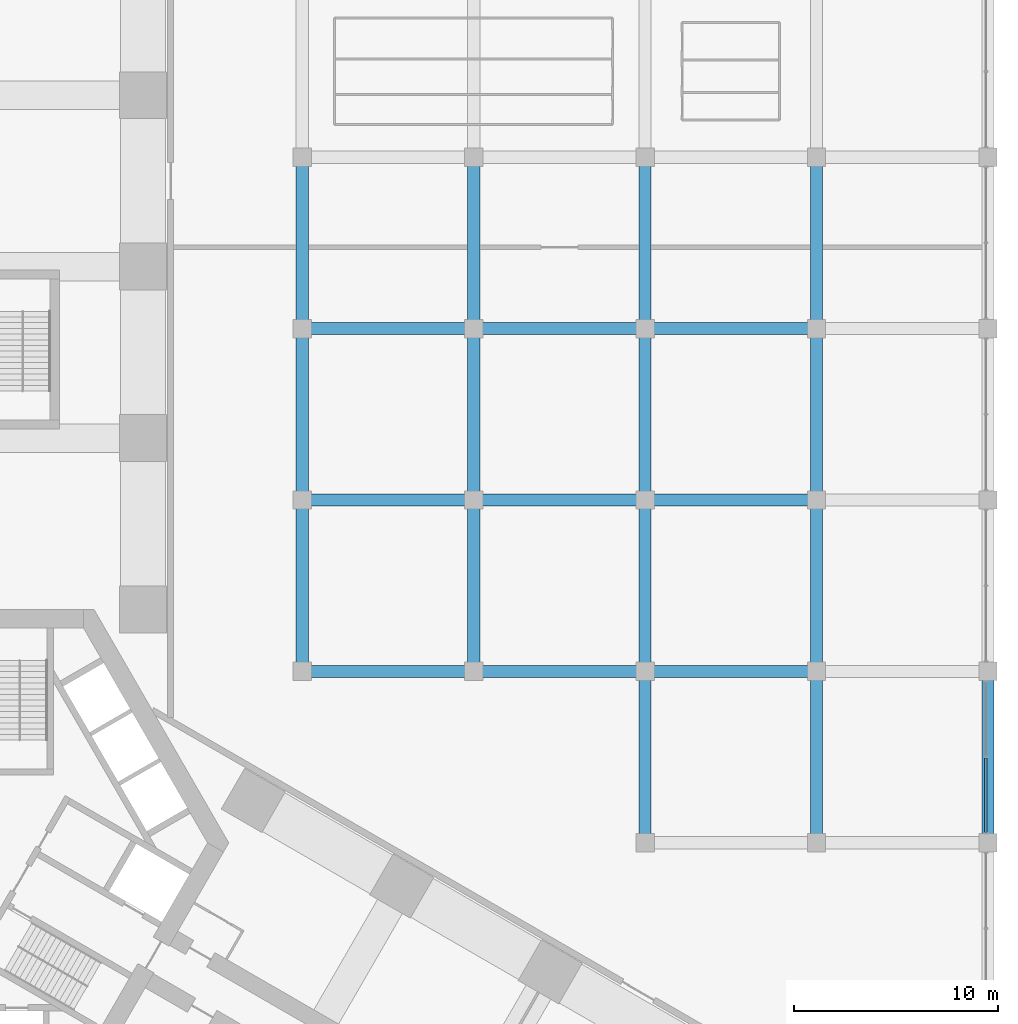
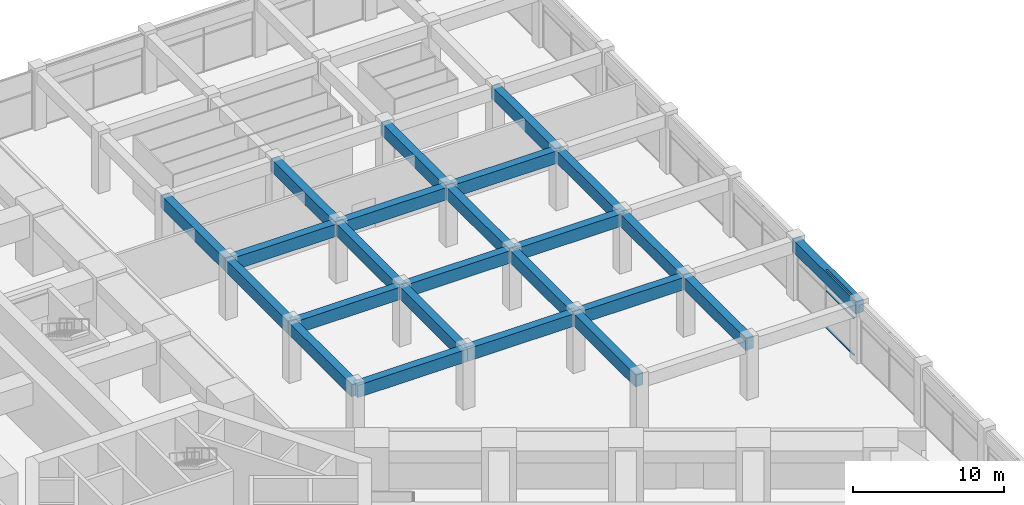
# One storey, part 14 of 34: 24 beams, 3 members, 1 element without a shape of its own.
"""IFC4 building model written with IfcOpenShell, lengths in metres."""

import ifcopenshell
import ifcopenshell.guid

model = None  # the IFC model being written
_history = None  # IfcOwnerHistory: only IFC2X3 demands one
_inside = {}  # id of a spatial element -> (the spatial element, [elements in it])
_under = {}  # id of a project, library or spatial element -> (it, [spatial elements below it])
_declared = {}  # id of a project -> (the project, [libraries it declares])
_typed = {}  # id of a type object -> (the type object, [elements of that type])
_made_of = {}  # id of a material, layer set ... -> (it, [elements and type objects made of it])


def new_model(schema):
    """Start an empty IFC model of exactly this schema.

    Asked for "IFC4X3", IfcOpenShell would pick the latest addendum, in which some entities
    have other attributes; the version numbers below select the first issue.
    IFC2X3 requires an IfcOwnerHistory on every rooted entity: one is made here for all.
    """
    global model, _history
    if schema == "IFC4X3":
        model = ifcopenshell.file(schema_version=(4, 3, 0, 0))
    else:
        model = ifcopenshell.file(schema=schema)
    _inside.clear()
    _under.clear()
    _declared.clear()
    _typed.clear()
    _made_of.clear()
    _history = None
    if model.schema == "IFC2X3":
        org = make("IfcOrganization", Name="unknown")
        user = make(
            "IfcPersonAndOrganization",
            ThePerson=make("IfcPerson", FamilyName="unknown"),
            TheOrganization=org,
        )
        app = make(
            "IfcApplication",
            ApplicationDeveloper=org,
            Version="unknown",
            ApplicationFullName="unknown",
            ApplicationIdentifier="unknown",
        )
        _history = make(
            "IfcOwnerHistory",
            OwningUser=user,
            OwningApplication=app,
            ChangeAction="ADDED",
            CreationDate=0,
        )
    return model


def make(cls, **values):
    """One entity of the class cls with the attributes given. An attribute that is None is left unset."""
    return model.create_entity(
        cls, **{name: value for name, value in values.items() if value is not None}
    )


def rooted(cls, **values):
    """An entity with a GlobalId (a new one), such as an element, a storey or a relation."""
    return make(cls, GlobalId=ifcopenshell.guid.new(), OwnerHistory=_history, **values)


def si_unit(unit_type, name, prefix=None):
    """IfcSIUnit, for example si_unit("LENGTHUNIT", "METRE", prefix="MILLI")."""
    return make("IfcSIUnit", UnitType=unit_type, Prefix=prefix, Name=name)


def assignment(units):
    """IfcUnitAssignment: the units of a project."""
    return None if units is None else make("IfcUnitAssignment", Units=units)


def point(xyz):
    """IfcCartesianPoint."""
    return None if xyz is None else make("IfcCartesianPoint", Coordinates=xyz)


def direction(xyz):
    """IfcDirection."""
    return None if xyz is None else make("IfcDirection", DirectionRatios=xyz)


def frame(location, z_axis=None, x_axis=None):
    """IfcAxis2Placement3D, a coordinate frame: its origin and axes. An axis left out is left unset."""
    return make(
        "IfcAxis2Placement3D",
        Location=point(location),
        Axis=direction(z_axis),
        RefDirection=direction(x_axis),
    )


def frame_2d(location, x_axis=None):
    """IfcAxis2Placement2D, a coordinate frame in the plane: its origin and x axis."""
    return make(
        "IfcAxis2Placement2D", Location=point(location), RefDirection=direction(x_axis)
    )


def origin():
    """The frame at (0, 0, 0) with its axes left unset."""
    return frame((0.0, 0.0, 0.0))


def origin_2d():
    """The frame at (0, 0) in the plane with its x axis left unset."""
    return frame_2d((0.0, 0.0))


def place(relative_to, where):
    """IfcLocalPlacement: puts the frame where relative to a parent placement (None: the world)."""
    return make(
        "IfcLocalPlacement", PlacementRelTo=relative_to, RelativePlacement=where
    )


def context(
    kind, dimensions, precision=None, world=None, true_north=None, identifier=None
):
    """IfcGeometricRepresentationContext, for example the 3D "Model" context."""
    return make(
        "IfcGeometricRepresentationContext",
        ContextIdentifier=identifier,
        ContextType=kind,
        CoordinateSpaceDimension=dimensions,
        Precision=precision,
        WorldCoordinateSystem=world,
        TrueNorth=true_north,
    )


def subcontext(parent, identifier, kind, view, scale=None):
    """IfcGeometricRepresentationSubContext, for example "Body" below "Model"."""
    return make(
        "IfcGeometricRepresentationSubContext",
        ContextIdentifier=identifier,
        ContextType=kind,
        ParentContext=parent,
        TargetScale=scale,
        TargetView=view,
    )


def project(units=None, contexts=None):
    """IfcProject with its units and contexts."""
    return rooted(
        "IfcProject",
        Name="project",
        RepresentationContexts=contexts,
        UnitsInContext=assignment(units),
    )


def spatial(cls, under=None, at=None, **own):
    """A site, building, storey or space (cls), placed at a placement, below another one or the project."""
    s = rooted(cls, ObjectPlacement=at, **own)
    if under is not None:
        _under.setdefault(under.id(), (under, []))[1].append(s)
    return s


def profile(cls, at=None, kind="AREA", **sizes):
    """A parametric profile (cls). Its sizes go by their IFC names, for example OverallWidth=200.0."""
    return make(cls, ProfileType=kind, Position=at, **sizes)


def rectangle(**sizes):
    """IfcRectangleProfileDef."""
    return profile("IfcRectangleProfileDef", **sizes)


def extrude(swept, where, along, depth):
    """IfcExtrudedAreaSolid: the profile swept, set in the frame where, extruded along a direction by depth."""
    return make(
        "IfcExtrudedAreaSolid",
        SweptArea=swept,
        Position=where,
        ExtrudedDirection=direction(along),
        Depth=depth,
    )


def shape(context_of_items, identifier, shape_type, items):
    """IfcShapeRepresentation: the items that make up one representation, for example the "Body"."""
    return make(
        "IfcShapeRepresentation",
        ContextOfItems=context_of_items,
        RepresentationIdentifier=identifier,
        RepresentationType=shape_type,
        Items=items,
    )


def material(Name=None, Category=None):
    """IfcMaterial."""
    return make("IfcMaterial", Name=Name, Category=Category)


def material_profile(
    of_material, cross_section, Name=None, Category=None, Priority=None
):
    """IfcMaterialProfile: a cross section and its material."""
    return make(
        "IfcMaterialProfile",
        Name=Name,
        Material=of_material,
        Profile=cross_section,
        Priority=Priority,
        Category=Category,
    )


def profile_set(profiles, Name=None, composite=None):
    """IfcMaterialProfileSet."""
    return make(
        "IfcMaterialProfileSet",
        Name=Name,
        MaterialProfiles=profiles,
        CompositeProfile=composite,
    )


def made_of(thing, what):
    """Note that an element or type object is made of a material, layer set ...; save() writes the relation."""
    if what is not None:
        _made_of.setdefault(what.id(), (what, []))[1].append(thing)
    return thing


def type_object(cls, material=None, **own):
    """A type object (cls), such as IfcWallType, which elements share."""
    return made_of(rooted(cls, **own), material)


def element(
    cls,
    number,
    at=None,
    inside=None,
    cuts=None,
    type_object=None,
    material=None,
    context=None,
    identifier="Body",
    shape_type=None,
    held_by="IfcProductDefinitionShape",
    body=None,
    shapes=None,
    **own,
):
    """One element of the class cls, such as IfcWall. Its Tag is "e" and its number.

    at: its placement. inside: the storey or other place that contains it. cuts: it is an
    opening in that element (IfcRelVoidsElement). A single representation is given by context,
    identifier, shape_type and body (its items); several are given by shapes. held_by: the class
    of the entity that holds the representations. save() writes the other relations.
    """
    e = rooted(cls, Tag="e%d" % number, ObjectPlacement=at, **own)
    if body is not None:
        shapes = [shape(context, identifier, shape_type, body)]
    if shapes is not None:
        e.Representation = make(held_by, Representations=shapes)
    if inside is not None:
        _inside.setdefault(inside.id(), (inside, []))[1].append(e)
    if cuts is not None:
        rooted(
            "IfcRelVoidsElement", RelatingBuildingElement=cuts, RelatedOpeningElement=e
        )
    if type_object is not None:
        _typed.setdefault(type_object.id(), (type_object, []))[1].append(e)
    return made_of(e, material)


def aggregate(whole, parts):
    """IfcRelAggregates: a whole, such as a stair, and the parts it consists of."""
    return rooted("IfcRelAggregates", RelatingObject=whole, RelatedObjects=parts)


def save(model, path):
    """Write the relations noted so far, then the file.

    IfcRelAggregates (storeys below a building ...), IfcRelContainedInSpatialStructure (elements
    in a storey), IfcRelDefinesByType, IfcRelAssociatesMaterial and IfcRelDeclares: one each for
    every whole, place, type object, material and project.
    """
    for whole, parts in _under.values():
        aggregate(whole, parts)
    for where, things in _inside.values():
        rooted(
            "IfcRelContainedInSpatialStructure",
            RelatedElements=things,
            RelatingStructure=where,
        )
    for kind, things in _typed.values():
        rooted("IfcRelDefinesByType", RelatedObjects=things, RelatingType=kind)
    for what, things in _made_of.values():
        rooted("IfcRelAssociatesMaterial", RelatedObjects=things, RelatingMaterial=what)
    for by, libraries in _declared.values():
        rooted("IfcRelDeclares", RelatingContext=by, RelatedDefinitions=libraries)
    model.write(path)


model = new_model("IFC4")

# Units and contexts
model_context = context("Model", 3, precision=1e-05, world=origin(), true_north=direction((0.0, 1.0)))
body_context = subcontext(model_context, "Body", "Model", "MODEL_VIEW")
ifc_project = project(units=[si_unit("LENGTHUNIT", "METRE"), si_unit("AREAUNIT", "SQUARE_METRE"), si_unit("VOLUMEUNIT", "CUBIC_METRE"), si_unit("PLANEANGLEUNIT", "RADIAN"), si_unit("MASSUNIT", "GRAM", prefix="KILO")], contexts=[model_context])

# Site, building, storey
site_placement = place(None, origin())
site = spatial("IfcSite", under=ifc_project, at=site_placement, CompositionType="ELEMENT")
building_placement = place(site_placement, origin())
building = spatial("IfcBuilding", under=site, at=building_placement, Name="Impinga Residences", CompositionType="ELEMENT")
storey_placement = place(building_placement, frame((0.0, 0.0, 11.0)))
storey = spatial("IfcBuildingStorey", under=building, at=storey_placement, Name="L02", CompositionType="ELEMENT", Elevation=11.0)

# Curtain wall, members
ifc_material_1 = material(Name="Aluminium stick curtain wall", Category="aluminium")
curtain_wall_type = type_object("IfcCurtainWallType", Name="CW1 podium amenity curtain wall", PredefinedType="USERDEFINED", material=ifc_material_1)
curtain_wall_placement = place(storey_placement, origin())
curtain_wall = element("IfcCurtainWall", 1, at=curtain_wall_placement, inside=storey, type_object=curtain_wall_type, Name="Curtain wall CW1 L02", ObjectType="STICK CURTAIN WALL", PredefinedType="USERDEFINED")
ifc_material_2 = material(Name="Aluminium transom", Category="aluminium")
ifc_material_profile_1 = material_profile(ifc_material_2, rectangle(XDim=0.06005859375, YDim=0.1201171875, at=origin_2d()), Name="60x120 transom")
ifc_profile_set_1 = profile_set([ifc_material_profile_1], Name="Aluminium transom")
member_type = type_object("IfcMemberType", Name="CW1-T transom 60x120", PredefinedType="USERDEFINED", material=ifc_profile_set_1)
member_1_placement = place(storey_placement, frame((50.300048828125, 4.169921875, 0.030029296875), z_axis=(0.0, -1.0, 0.0), x_axis=(0.0, 0.0, 1.0)))
member_1 = element("IfcMember", 2, at=member_1_placement, type_object=member_type, Name="CW1 transom 2.1", ObjectType="TRANSOM", PredefinedType="USERDEFINED", context=body_context, shape_type="SweptSolid", body=[
    extrude(rectangle(XDim=0.06005859375, YDim=0.1201171875, at=origin_2d()), origin(), (0.0, 0.0, 1.0), 3.656982421875),
])
member_2_placement = place(storey_placement, frame((50.300048828125, 4.169921875, 3.0), z_axis=(0.0, -1.0, 0.0), x_axis=(0.0, 0.0, 1.0)))
member_2 = element("IfcMember", 3, at=member_2_placement, type_object=member_type, Name="CW1 transom 2.2", ObjectType="TRANSOM", PredefinedType="USERDEFINED", context=body_context, shape_type="SweptSolid", body=[
    extrude(rectangle(XDim=0.06005859375, YDim=0.1201171875, at=origin_2d()), origin(), (0.0, 0.0, 1.0), 3.656982421875),
])
member_3_placement = place(storey_placement, frame((50.300048828125, 4.169921875, 4.669921875), z_axis=(0.0, -1.0, 0.0), x_axis=(0.0, 0.0, 1.0)))
member_3 = element("IfcMember", 4, at=member_3_placement, type_object=member_type, Name="CW1 transom 2.3", ObjectType="TRANSOM", PredefinedType="USERDEFINED", context=body_context, shape_type="SweptSolid", body=[
    extrude(rectangle(XDim=0.06005859375, YDim=0.1201171875, at=origin_2d()), origin(), (0.0, 0.0, 1.0), 3.656982421875),
])
aggregate(curtain_wall, [member_1, member_2, member_3])

# Beams
ifc_material_3 = material(Name="Concrete C60/75", Category="concrete")
ifc_material_profile_2 = material_profile(ifc_material_3, rectangle(XDim=0.60009765625, YDim=1.0, at=origin_2d()), Name="RC 600x1000")
ifc_profile_set_2 = profile_set([ifc_material_profile_2], Name="Concrete C60/75")
beam_type = type_object("IfcBeamType", Name="PB2 600x1000 podium beam", PredefinedType="BEAM", material=ifc_profile_set_2)
beam_1_placement = place(storey_placement, frame((16.800048828125, 8.39990234375, 4.199951171875), z_axis=(1.0, 0.0, 0.0), x_axis=(0.0, 1.0, 0.0)))
element("IfcBeam", 5, at=beam_1_placement, inside=storey, type_object=beam_type, Name="Beam PB2 G/9-10 level L03", PredefinedType="BEAM", context=body_context, shape_type="SweptSolid", body=[
    extrude(rectangle(XDim=0.60009765625, YDim=1.0, at=origin_2d()), origin(), (0.0, 0.0, 1.0), 8.39990234375),
])
beam_2_placement = place(storey_placement, frame((25.199951171875, 8.39990234375, 4.199951171875), z_axis=(1.0, 0.0, 0.0), x_axis=(0.0, 1.0, 0.0)))
element("IfcBeam", 6, at=beam_2_placement, inside=storey, type_object=beam_type, Name="Beam PB2 G/10-11 level L03", PredefinedType="BEAM", context=body_context, shape_type="SweptSolid", body=[
    extrude(rectangle(XDim=0.60009765625, YDim=1.0, at=origin_2d()), origin(), (0.0, 0.0, 1.0), 8.400146484375),
])
for number, where, z_axis, x_axis, name in (
    (7, (33.60009765625, 8.39990234375, 4.199951171875), (1.0, 0.0, 0.0), (0.0, 1.0, 0.0), "Beam PB2 G/11-12 level L03"),
    (8, (16.800048828125, 16.800048828125, 4.199951171875), (1.0, 0.0, 0.0), (0.0, 1.0, 0.0), "Beam PB2 H/9-10 level L03"),
):
    element("IfcBeam", number, at=place(storey_placement, frame(where, z_axis=z_axis, x_axis=x_axis)), inside=storey, type_object=beam_type, Name=name, PredefinedType="BEAM", context=body_context, shape_type="SweptSolid", body=[
        extrude(rectangle(XDim=0.60009765625, YDim=1.0, at=origin_2d()), origin(), (0.0, 0.0, 1.0), 8.39990234375),
    ])
beam_3_placement = place(storey_placement, frame((25.199951171875, 16.800048828125, 4.199951171875), z_axis=(1.0, 0.0, 0.0), x_axis=(0.0, 1.0, 0.0)))
element("IfcBeam", 9, at=beam_3_placement, inside=storey, type_object=beam_type, Name="Beam PB2 H/10-11 level L03", PredefinedType="BEAM", context=body_context, shape_type="SweptSolid", body=[
    extrude(rectangle(XDim=0.60009765625, YDim=1.0, at=origin_2d()), origin(), (0.0, 0.0, 1.0), 8.400146484375),
])
for number, where, z_axis, x_axis, name in (
    (10, (33.60009765625, 16.800048828125, 4.199951171875), (1.0, 0.0, 0.0), (0.0, 1.0, 0.0), "Beam PB2 H/11-12 level L03"),
    (11, (16.800048828125, 25.199951171875, 4.199951171875), (1.0, 0.0, 0.0), (0.0, 1.0, 0.0), "Beam PB2 J/9-10 level L03"),
):
    element("IfcBeam", number, at=place(storey_placement, frame(where, z_axis=z_axis, x_axis=x_axis)), inside=storey, type_object=beam_type, Name=name, PredefinedType="BEAM", context=body_context, shape_type="SweptSolid", body=[
        extrude(rectangle(XDim=0.60009765625, YDim=1.0, at=origin_2d()), origin(), (0.0, 0.0, 1.0), 8.39990234375),
    ])
beam_4_placement = place(storey_placement, frame((25.199951171875, 25.199951171875, 4.199951171875), z_axis=(1.0, 0.0, 0.0), x_axis=(0.0, 1.0, 0.0)))
element("IfcBeam", 12, at=beam_4_placement, inside=storey, type_object=beam_type, Name="Beam PB2 J/10-11 level L03", PredefinedType="BEAM", context=body_context, shape_type="SweptSolid", body=[
    extrude(rectangle(XDim=0.60009765625, YDim=1.0, at=origin_2d()), origin(), (0.0, 0.0, 1.0), 8.400146484375),
])
beam_5_placement = place(storey_placement, frame((33.60009765625, 25.199951171875, 4.199951171875), z_axis=(1.0, 0.0, 0.0), x_axis=(0.0, 1.0, 0.0)))
element("IfcBeam", 13, at=beam_5_placement, inside=storey, type_object=beam_type, Name="Beam PB2 J/11-12 level L03", PredefinedType="BEAM", context=body_context, shape_type="SweptSolid", body=[
    extrude(rectangle(XDim=0.60009765625, YDim=1.0, at=origin_2d()), origin(), (0.0, 0.0, 1.0), 8.39990234375),
])
beam_6_placement = place(storey_placement, frame((16.800048828125, 8.39990234375, 4.199951171875), z_axis=(0.0, 1.0, 0.0), x_axis=(-1.0, 0.0, 0.0)))
element("IfcBeam", 14, at=beam_6_placement, inside=storey, type_object=beam_type, Name="Beam PB2 9/G-H level L03", PredefinedType="BEAM", context=body_context, shape_type="SweptSolid", body=[
    extrude(rectangle(XDim=0.60009765625, YDim=1.0, at=origin_2d()), origin(), (0.0, 0.0, 1.0), 8.400146484375),
])
beam_7_placement = place(storey_placement, frame((16.800048828125, 16.800048828125, 4.199951171875), z_axis=(0.0, 1.0, 0.0), x_axis=(-1.0, 0.0, 0.0)))
element("IfcBeam", 15, at=beam_7_placement, inside=storey, type_object=beam_type, Name="Beam PB2 9/H-J level L03", PredefinedType="BEAM", context=body_context, shape_type="SweptSolid", body=[
    extrude(rectangle(XDim=0.60009765625, YDim=1.0, at=origin_2d()), origin(), (0.0, 0.0, 1.0), 8.39990234375),
])
for number, where, z_axis, x_axis, name in (
    (16, (16.800048828125, 25.199951171875, 4.199951171875), (0.0, 1.0, 0.0), (-1.0, 0.0, 0.0), "Beam PB2 9/J-K level L03"),
    (17, (25.199951171875, 8.39990234375, 4.199951171875), (0.0, 1.0, 0.0), (-1.0, 0.0, 0.0), "Beam PB2 10/G-H level L03"),
):
    element("IfcBeam", number, at=place(storey_placement, frame(where, z_axis=z_axis, x_axis=x_axis)), inside=storey, type_object=beam_type, Name=name, PredefinedType="BEAM", context=body_context, shape_type="SweptSolid", body=[
        extrude(rectangle(XDim=0.60009765625, YDim=1.0, at=origin_2d()), origin(), (0.0, 0.0, 1.0), 8.400146484375),
    ])
beam_8_placement = place(storey_placement, frame((25.199951171875, 16.800048828125, 4.199951171875), z_axis=(0.0, 1.0, 0.0), x_axis=(-1.0, 0.0, 0.0)))
element("IfcBeam", 18, at=beam_8_placement, inside=storey, type_object=beam_type, Name="Beam PB2 10/H-J level L03", PredefinedType="BEAM", context=body_context, shape_type="SweptSolid", body=[
    extrude(rectangle(XDim=0.60009765625, YDim=1.0, at=origin_2d()), origin(), (0.0, 0.0, 1.0), 8.39990234375),
])
beam_9_placement = place(storey_placement, frame((25.199951171875, 25.199951171875, 4.199951171875), z_axis=(0.0, 1.0, 0.0), x_axis=(-1.0, 0.0, 0.0)))
element("IfcBeam", 19, at=beam_9_placement, inside=storey, type_object=beam_type, Name="Beam PB2 10/J-K level L03", PredefinedType="BEAM", context=body_context, shape_type="SweptSolid", body=[
    extrude(rectangle(XDim=0.60009765625, YDim=1.0, at=origin_2d()), origin(), (0.0, 0.0, 1.0), 8.400146484375),
])
beam_10_placement = place(storey_placement, frame((33.60009765625, 0.0, 4.199951171875), z_axis=(0.0, 1.0, 0.0), x_axis=(-1.0, 0.0, 0.0)))
element("IfcBeam", 20, at=beam_10_placement, inside=storey, type_object=beam_type, Name="Beam PB2 11/F-G level L03", PredefinedType="BEAM", context=body_context, shape_type="SweptSolid", body=[
    extrude(rectangle(XDim=0.60009765625, YDim=1.0, at=origin_2d()), origin(), (0.0, 0.0, 1.0), 8.39990234375),
])
beam_11_placement = place(storey_placement, frame((33.60009765625, 8.39990234375, 4.199951171875), z_axis=(0.0, 1.0, 0.0), x_axis=(-1.0, 0.0, 0.0)))
element("IfcBeam", 21, at=beam_11_placement, inside=storey, type_object=beam_type, Name="Beam PB2 11/G-H level L03", PredefinedType="BEAM", context=body_context, shape_type="SweptSolid", body=[
    extrude(rectangle(XDim=0.60009765625, YDim=1.0, at=origin_2d()), origin(), (0.0, 0.0, 1.0), 8.400146484375),
])
beam_12_placement = place(storey_placement, frame((33.60009765625, 16.800048828125, 4.199951171875), z_axis=(0.0, 1.0, 0.0), x_axis=(-1.0, 0.0, 0.0)))
element("IfcBeam", 22, at=beam_12_placement, inside=storey, type_object=beam_type, Name="Beam PB2 11/H-J level L03", PredefinedType="BEAM", context=body_context, shape_type="SweptSolid", body=[
    extrude(rectangle(XDim=0.60009765625, YDim=1.0, at=origin_2d()), origin(), (0.0, 0.0, 1.0), 8.39990234375),
])
beam_13_placement = place(storey_placement, frame((33.60009765625, 25.199951171875, 4.199951171875), z_axis=(0.0, 1.0, 0.0), x_axis=(-1.0, 0.0, 0.0)))
element("IfcBeam", 23, at=beam_13_placement, inside=storey, type_object=beam_type, Name="Beam PB2 11/J-K level L03", PredefinedType="BEAM", context=body_context, shape_type="SweptSolid", body=[
    extrude(rectangle(XDim=0.60009765625, YDim=1.0, at=origin_2d()), origin(), (0.0, 0.0, 1.0), 8.400146484375),
])
beam_14_placement = place(storey_placement, frame((42.0, 0.0, 4.199951171875), z_axis=(0.0, 1.0, 0.0), x_axis=(-1.0, 0.0, 0.0)))
element("IfcBeam", 24, at=beam_14_placement, inside=storey, type_object=beam_type, Name="Beam PB2 12/F-G level L03", PredefinedType="BEAM", context=body_context, shape_type="SweptSolid", body=[
    extrude(rectangle(XDim=0.60009765625, YDim=1.0, at=origin_2d()), origin(), (0.0, 0.0, 1.0), 8.39990234375),
])
beam_15_placement = place(storey_placement, frame((42.0, 8.39990234375, 4.199951171875), z_axis=(0.0, 1.0, 0.0), x_axis=(-1.0, 0.0, 0.0)))
element("IfcBeam", 25, at=beam_15_placement, inside=storey, type_object=beam_type, Name="Beam PB2 12/G-H level L03", PredefinedType="BEAM", context=body_context, shape_type="SweptSolid", body=[
    extrude(rectangle(XDim=0.60009765625, YDim=1.0, at=origin_2d()), origin(), (0.0, 0.0, 1.0), 8.400146484375),
])
beam_16_placement = place(storey_placement, frame((42.0, 16.800048828125, 4.199951171875), z_axis=(0.0, 1.0, 0.0), x_axis=(-1.0, 0.0, 0.0)))
element("IfcBeam", 26, at=beam_16_placement, inside=storey, type_object=beam_type, Name="Beam PB2 12/H-J level L03", PredefinedType="BEAM", context=body_context, shape_type="SweptSolid", body=[
    extrude(rectangle(XDim=0.60009765625, YDim=1.0, at=origin_2d()), origin(), (0.0, 0.0, 1.0), 8.39990234375),
])
beam_17_placement = place(storey_placement, frame((42.0, 25.199951171875, 4.199951171875), z_axis=(0.0, 1.0, 0.0), x_axis=(-1.0, 0.0, 0.0)))
element("IfcBeam", 27, at=beam_17_placement, inside=storey, type_object=beam_type, Name="Beam PB2 12/J-K level L03", PredefinedType="BEAM", context=body_context, shape_type="SweptSolid", body=[
    extrude(rectangle(XDim=0.60009765625, YDim=1.0, at=origin_2d()), origin(), (0.0, 0.0, 1.0), 8.400146484375),
])
beam_18_placement = place(storey_placement, frame((50.39990234375, 0.0, 4.199951171875), z_axis=(0.0, 1.0, 0.0), x_axis=(-1.0, 0.0, 0.0)))
element("IfcBeam", 28, at=beam_18_placement, inside=storey, type_object=beam_type, Name="Beam PB2 13/F-G level L03", PredefinedType="BEAM", context=body_context, shape_type="SweptSolid", body=[
    extrude(rectangle(XDim=0.60009765625, YDim=1.0, at=origin_2d()), origin(), (0.0, 0.0, 1.0), 8.39990234375),
])

save(model, "model.ifc")
